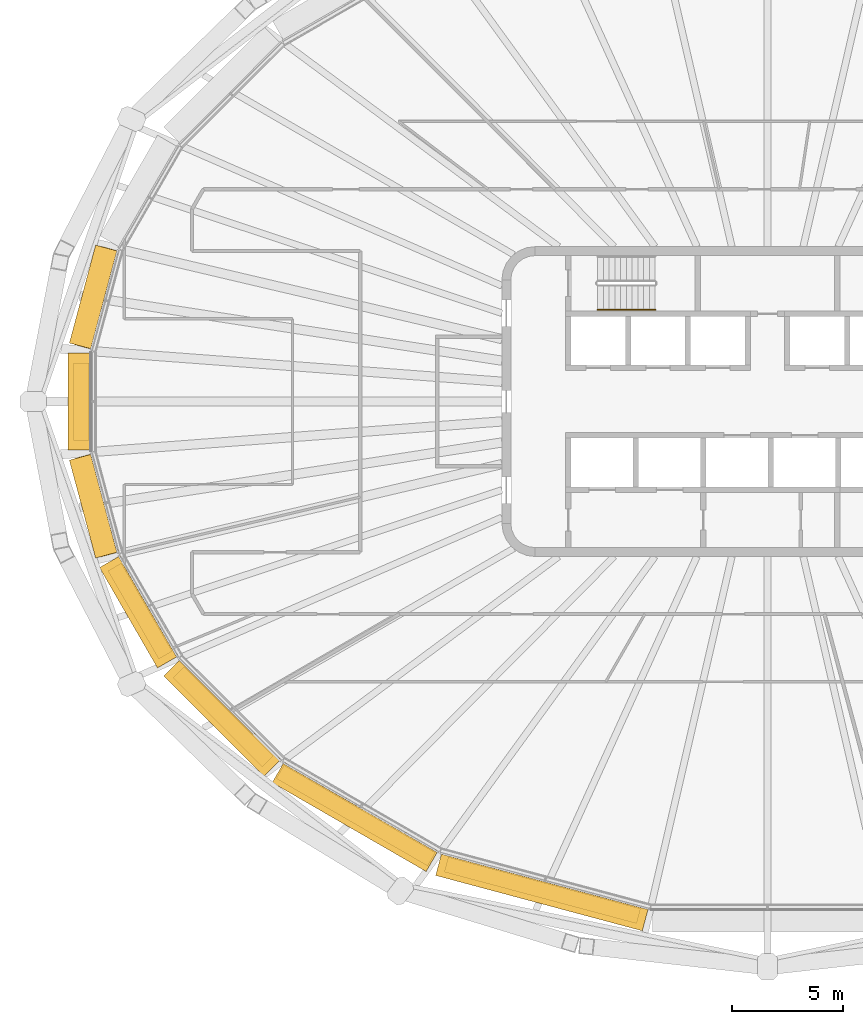
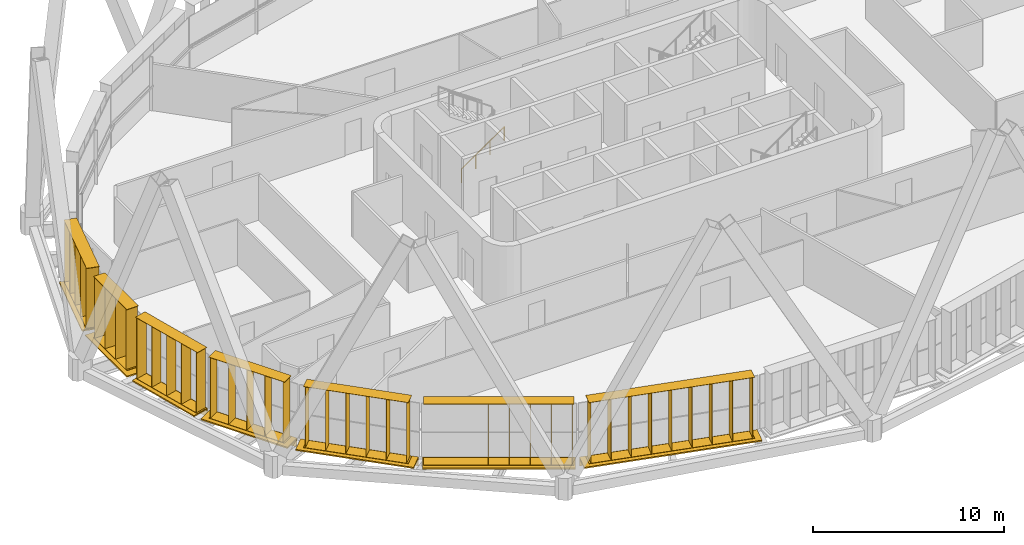
# One storey, part 18 of 23: 14 shading devices, 1 railing.
"""IFC4 building model written with IfcOpenShell, lengths in metres."""

from ifc_helpers import new_model, si_unit, direction, frame, origin, origin_2d, place, context, subcontext, project, spatial, rectangle, circle, extrude, material, type_object, element, save


model = new_model("IFC4")

# Units and contexts
model_context = context("Model", 3, precision=1e-05, world=origin(), true_north=direction((0.0, 1.0)))
body_context = subcontext(model_context, "Body", "Model", "MODEL_VIEW")
ifc_project = project(units=[si_unit("LENGTHUNIT", "METRE"), si_unit("AREAUNIT", "SQUARE_METRE"), si_unit("VOLUMEUNIT", "CUBIC_METRE"), si_unit("PLANEANGLEUNIT", "RADIAN"), si_unit("MASSUNIT", "GRAM", prefix="KILO")], contexts=[model_context])

# Site, building, storey
site_placement = place(None, origin())
site = spatial("IfcSite", under=ifc_project, at=site_placement, CompositionType="ELEMENT")
building_placement = place(site_placement, origin())
building = spatial("IfcBuilding", under=site, at=building_placement, Name="Sahrelin Media Tower", CompositionType="ELEMENT")
storey_placement = place(building_placement, frame((0.0, 0.0, 217.60009765625)))
storey = spatial("IfcBuildingStorey", under=building, at=storey_placement, Name="L46", CompositionType="ELEMENT", Elevation=217.60009765625)

# Shading devices
ifc_material_1 = material(Name="Champagne anodised aluminium 6063-T6", Category="aluminium")
shading_device_type_1 = type_object("IfcShadingDeviceType", Name="Fin cassette", PredefinedType="USERDEFINED", material=ifc_material_1)
placement_1 = place(storey_placement, frame((-29.964111328125, 4.593017578125, 0.0), z_axis=(0.0, 0.0, 1.0), x_axis=(0.258807731996, 0.965928857556, 0.0)))
element("IfcShadingDevice", 1, at=placement_1, inside=storey, type_object=shading_device_type_1, Name="L46:FIN:L46-11", ObjectType="FIN", PredefinedType="USERDEFINED", context=body_context, shape_type="SweptSolid", body=[
    extrude(rectangle(XDim=4.60009765625, YDim=0.699951171875, at=origin_2d()), frame((0.0, 0.419921875, 0.0)), (0.0, 0.0, 1.0), 0.02001953125),
    extrude(rectangle(XDim=4.60009765625, YDim=0.699951171875, at=origin_2d()), frame((0.0, 0.419921875, 3.89990234375)), (0.0, 0.0, 1.0), 0.02001953125),
    extrude(rectangle(XDim=0.02001953125, YDim=0.699951171875, at=origin_2d()), frame((-2.199951171875, 0.419921875, 0.010009765625), z_axis=(0.0, 0.0, 1.0), x_axis=(1.0, 0.0, 0.0)), (0.0, 0.0, 1.0), 3.89990234375),
    extrude(rectangle(XDim=0.02001953125, YDim=0.699951171875, at=origin_2d()), frame((-1.10009765625, 0.419921875, 0.010009765625), z_axis=(0.0, 0.0, 1.0), x_axis=(1.0, 0.0, 0.0)), (0.0, 0.0, 1.0), 3.89990234375),
    extrude(rectangle(XDim=0.02001953125, YDim=0.699951171875, at=origin_2d()), frame((0.0, 0.419921875, 0.010009765625), z_axis=(0.0, 0.0, 1.0), x_axis=(1.0, 0.0, 0.0)), (0.0, 0.0, 1.0), 3.89990234375),
    extrude(rectangle(XDim=0.02001953125, YDim=0.699951171875, at=origin_2d()), frame((1.10009765625, 0.419921875, 0.010009765625), z_axis=(0.0, 0.0, 1.0), x_axis=(1.0, 0.0, 0.0)), (0.0, 0.0, 1.0), 3.89990234375),
    extrude(rectangle(XDim=0.02001953125, YDim=0.699951171875, at=origin_2d()), frame((2.199951171875, 0.419921875, 0.010009765625), z_axis=(0.0, 0.0, 1.0), x_axis=(1.0, 0.0, 0.0)), (0.0, 0.0, 1.0), 3.89990234375),
])
placement_2 = place(storey_placement, frame((-30.58251953125, 0.0, 0.0), z_axis=(0.0, 0.0, 1.0), x_axis=(0.0, 1.0, 0.0)))
element("IfcShadingDevice", 2, at=placement_2, inside=storey, type_object=shading_device_type_1, Name="L46:FIN:L46-12", ObjectType="FIN", PredefinedType="USERDEFINED", context=body_context, shape_type="SweptSolid", body=[
    extrude(rectangle(XDim=3.5, YDim=0.699951171875, at=origin_2d()), frame((0.0, 0.419921875, 0.0)), (0.0, 0.0, 1.0), 0.02001953125),
    extrude(rectangle(XDim=3.5, YDim=0.699951171875, at=origin_2d()), frame((0.0, 0.419921875, 3.89990234375)), (0.0, 0.0, 1.0), 0.02001953125),
    extrude(rectangle(XDim=0.02001953125, YDim=0.699951171875, at=origin_2d()), frame((-1.64990234375, 0.419921875, 0.010009765625), z_axis=(0.0, 0.0, 1.0), x_axis=(1.0, 0.0, 0.0)), (0.0, 0.0, 1.0), 3.89990234375),
    extrude(rectangle(XDim=0.02001953125, YDim=0.699951171875, at=origin_2d()), frame((-0.550048828125, 0.419921875, 0.010009765625), z_axis=(0.0, 0.0, 1.0), x_axis=(1.0, 0.0, 0.0)), (0.0, 0.0, 1.0), 3.89990234375),
    extrude(rectangle(XDim=0.02001953125, YDim=0.699951171875, at=origin_2d()), frame((0.550048828125, 0.419921875, 0.010009765625), z_axis=(0.0, 0.0, 1.0), x_axis=(1.0, 0.0, 0.0)), (0.0, 0.0, 1.0), 3.89990234375),
    extrude(rectangle(XDim=0.02001953125, YDim=0.699951171875, at=origin_2d()), frame((1.64990234375, 0.419921875, 0.010009765625), z_axis=(0.0, 0.0, 1.0), x_axis=(1.0, 0.0, 0.0)), (0.0, 0.0, 1.0), 3.89990234375),
])
placement_3 = place(storey_placement, frame((-29.964111328125, -4.593017578125, 0.0), z_axis=(0.0, 0.0, 1.0), x_axis=(-0.258807731996, 0.965928857556, 0.0)))
element("IfcShadingDevice", 3, at=placement_3, inside=storey, type_object=shading_device_type_1, Name="L46:FIN:L46-13", ObjectType="FIN", PredefinedType="USERDEFINED", context=body_context, shape_type="SweptSolid", body=[
    extrude(rectangle(XDim=4.60009765625, YDim=0.699951171875, at=origin_2d()), frame((0.0, 0.419921875, 0.0)), (0.0, 0.0, 1.0), 0.02001953125),
    extrude(rectangle(XDim=4.60009765625, YDim=0.699951171875, at=origin_2d()), frame((0.0, 0.419921875, 3.89990234375)), (0.0, 0.0, 1.0), 0.02001953125),
    extrude(rectangle(XDim=0.02001953125, YDim=0.699951171875, at=origin_2d()), frame((-2.199951171875, 0.419921875, 0.010009765625), z_axis=(0.0, 0.0, 1.0), x_axis=(1.0, 0.0, 0.0)), (0.0, 0.0, 1.0), 3.89990234375),
    extrude(rectangle(XDim=0.02001953125, YDim=0.699951171875, at=origin_2d()), frame((-1.10009765625, 0.419921875, 0.010009765625), z_axis=(0.0, 0.0, 1.0), x_axis=(1.0, 0.0, 0.0)), (0.0, 0.0, 1.0), 3.89990234375),
    extrude(rectangle(XDim=0.02001953125, YDim=0.699951171875, at=origin_2d()), frame((0.0, 0.419921875, 0.010009765625), z_axis=(0.0, 0.0, 1.0), x_axis=(1.0, 0.0, 0.0)), (0.0, 0.0, 1.0), 3.89990234375),
    extrude(rectangle(XDim=0.02001953125, YDim=0.699951171875, at=origin_2d()), frame((1.10009765625, 0.419921875, 0.010009765625), z_axis=(0.0, 0.0, 1.0), x_axis=(1.0, 0.0, 0.0)), (0.0, 0.0, 1.0), 3.89990234375),
    extrude(rectangle(XDim=0.02001953125, YDim=0.699951171875, at=origin_2d()), frame((2.199951171875, 0.419921875, 0.010009765625), z_axis=(0.0, 0.0, 1.0), x_axis=(1.0, 0.0, 0.0)), (0.0, 0.0, 1.0), 3.89990234375),
])
placement_4 = place(storey_placement, frame((-27.986083984375, -9.255859375, 0.0), z_axis=(0.0, 0.0, 1.0), x_axis=(-0.500011000363, 0.866019052629, 0.0)))
element("IfcShadingDevice", 4, at=placement_4, inside=storey, type_object=shading_device_type_1, Name="L46:FIN:L46-14", ObjectType="FIN", PredefinedType="USERDEFINED", context=body_context, shape_type="SweptSolid", body=[
    extrude(rectangle(XDim=4.60009765625, YDim=0.699951171875, at=origin_2d()), frame((0.0, 0.419921875, 0.0)), (0.0, 0.0, 1.0), 0.02001953125),
    extrude(rectangle(XDim=4.60009765625, YDim=0.699951171875, at=origin_2d()), frame((0.0, 0.419921875, 3.89990234375)), (0.0, 0.0, 1.0), 0.02001953125),
    extrude(rectangle(XDim=0.02001953125, YDim=0.699951171875, at=origin_2d()), frame((-2.199951171875, 0.419921875, 0.010009765625), z_axis=(0.0, 0.0, 1.0), x_axis=(1.0, 0.0, 0.0)), (0.0, 0.0, 1.0), 3.89990234375),
    extrude(rectangle(XDim=0.02001953125, YDim=0.699951171875, at=origin_2d()), frame((-1.10009765625, 0.419921875, 0.010009765625), z_axis=(0.0, 0.0, 1.0), x_axis=(1.0, 0.0, 0.0)), (0.0, 0.0, 1.0), 3.89990234375),
    extrude(rectangle(XDim=0.02001953125, YDim=0.699951171875, at=origin_2d()), frame((0.0, 0.419921875, 0.010009765625), z_axis=(0.0, 0.0, 1.0), x_axis=(1.0, 0.0, 0.0)), (0.0, 0.0, 1.0), 3.89990234375),
    extrude(rectangle(XDim=0.02001953125, YDim=0.699951171875, at=origin_2d()), frame((1.10009765625, 0.419921875, 0.010009765625), z_axis=(0.0, 0.0, 1.0), x_axis=(1.0, 0.0, 0.0)), (0.0, 0.0, 1.0), 3.89990234375),
    extrude(rectangle(XDim=0.02001953125, YDim=0.699951171875, at=origin_2d()), frame((2.199951171875, 0.419921875, 0.010009765625), z_axis=(0.0, 0.0, 1.0), x_axis=(1.0, 0.0, 0.0)), (0.0, 0.0, 1.0), 3.89990234375),
])
placement_5 = place(storey_placement, frame((-24.291015625, -13.9462890625, 0.0), z_axis=(0.0, 0.0, 1.0), x_axis=(-0.707106781187, 0.707106781187, 0.0)))
element("IfcShadingDevice", 5, at=placement_5, inside=storey, type_object=shading_device_type_1, Name="L46:FIN:L46-15", ObjectType="FIN", PredefinedType="USERDEFINED", context=body_context, shape_type="SweptSolid", body=[
    extrude(rectangle(XDim=5.699951171875, YDim=0.699951171875, at=origin_2d()), frame((0.0, 0.419921875, 0.0)), (0.0, 0.0, 1.0), 0.02001953125),
    extrude(rectangle(XDim=5.699951171875, YDim=0.699951171875, at=origin_2d()), frame((0.0, 0.419921875, 3.89990234375)), (0.0, 0.0, 1.0), 0.02001953125),
    extrude(rectangle(XDim=0.02001953125, YDim=0.699951171875, at=origin_2d()), frame((-2.75, 0.419921875, 0.010009765625), z_axis=(0.0, 0.0, 1.0), x_axis=(1.0, 0.0, 0.0)), (0.0, 0.0, 1.0), 3.89990234375),
    extrude(rectangle(XDim=0.02001953125, YDim=0.699951171875, at=origin_2d()), frame((-1.64990234375, 0.419921875, 0.010009765625), z_axis=(0.0, 0.0, 1.0), x_axis=(1.0, 0.0, 0.0)), (0.0, 0.0, 1.0), 3.89990234375),
    extrude(rectangle(XDim=0.02001953125, YDim=0.699951171875, at=origin_2d()), frame((-0.550048828125, 0.419921875, 0.010009765625), z_axis=(0.0, 0.0, 1.0), x_axis=(1.0, 0.0, 0.0)), (0.0, 0.0, 1.0), 3.89990234375),
    extrude(rectangle(XDim=0.02001953125, YDim=0.699951171875, at=origin_2d()), frame((0.550048828125, 0.419921875, 0.010009765625), z_axis=(0.0, 0.0, 1.0), x_axis=(1.0, 0.0, 0.0)), (0.0, 0.0, 1.0), 3.89990234375),
    extrude(rectangle(XDim=0.02001953125, YDim=0.699951171875, at=origin_2d()), frame((1.64990234375, 0.419921875, 0.010009765625), z_axis=(0.0, 0.0, 1.0), x_axis=(1.0, 0.0, 0.0)), (0.0, 0.0, 1.0), 3.89990234375),
    extrude(rectangle(XDim=0.02001953125, YDim=0.699951171875, at=origin_2d()), frame((2.75, 0.419921875, 0.010009765625), z_axis=(0.0, 0.0, 1.0), x_axis=(1.0, 0.0, 0.0)), (0.0, 0.0, 1.0), 3.89990234375),
])
placement_6 = place(storey_placement, frame((-18.39013671875, -18.34033203125, 0.0), z_axis=(0.0, 0.0, 1.0), x_axis=(-0.866019052629, 0.500011000363, 0.0)))
element("IfcShadingDevice", 6, at=placement_6, inside=storey, type_object=shading_device_type_1, Name="L46:FIN:L46-16", ObjectType="FIN", PredefinedType="USERDEFINED", context=body_context, shape_type="SweptSolid", body=[
    extrude(rectangle(XDim=7.89990234375, YDim=0.699951171875, at=origin_2d()), frame((0.0, 0.419921875, 0.0)), (0.0, 0.0, 1.0), 0.02001953125),
    extrude(rectangle(XDim=7.89990234375, YDim=0.699951171875, at=origin_2d()), frame((0.0, 0.419921875, 3.89990234375)), (0.0, 0.0, 1.0), 0.02001953125),
    extrude(rectangle(XDim=0.02001953125, YDim=0.699951171875, at=origin_2d()), frame((-3.85009765625, 0.419921875, 0.010009765625), z_axis=(0.0, 0.0, 1.0), x_axis=(1.0, 0.0, 0.0)), (0.0, 0.0, 1.0), 3.89990234375),
    extrude(rectangle(XDim=0.02001953125, YDim=0.699951171875, at=origin_2d()), frame((-2.75, 0.419921875, 0.010009765625), z_axis=(0.0, 0.0, 1.0), x_axis=(1.0, 0.0, 0.0)), (0.0, 0.0, 1.0), 3.89990234375),
    extrude(rectangle(XDim=0.02001953125, YDim=0.699951171875, at=origin_2d()), frame((-1.64990234375, 0.419921875, 0.010009765625), z_axis=(0.0, 0.0, 1.0), x_axis=(1.0, 0.0, 0.0)), (0.0, 0.0, 1.0), 3.89990234375),
    extrude(rectangle(XDim=0.02001953125, YDim=0.699951171875, at=origin_2d()), frame((-0.550048828125, 0.419921875, 0.010009765625), z_axis=(0.0, 0.0, 1.0), x_axis=(1.0, 0.0, 0.0)), (0.0, 0.0, 1.0), 3.89990234375),
    extrude(rectangle(XDim=0.02001953125, YDim=0.699951171875, at=origin_2d()), frame((0.550048828125, 0.419921875, 0.010009765625), z_axis=(0.0, 0.0, 1.0), x_axis=(1.0, 0.0, 0.0)), (0.0, 0.0, 1.0), 3.89990234375),
    extrude(rectangle(XDim=0.02001953125, YDim=0.699951171875, at=origin_2d()), frame((1.64990234375, 0.419921875, 0.010009765625), z_axis=(0.0, 0.0, 1.0), x_axis=(1.0, 0.0, 0.0)), (0.0, 0.0, 1.0), 3.89990234375),
    extrude(rectangle(XDim=0.02001953125, YDim=0.699951171875, at=origin_2d()), frame((2.75, 0.419921875, 0.010009765625), z_axis=(0.0, 0.0, 1.0), x_axis=(1.0, 0.0, 0.0)), (0.0, 0.0, 1.0), 3.89990234375),
    extrude(rectangle(XDim=0.02001953125, YDim=0.699951171875, at=origin_2d()), frame((3.85009765625, 0.419921875, 0.010009765625), z_axis=(0.0, 0.0, 1.0), x_axis=(1.0, 0.0, 0.0)), (0.0, 0.0, 1.0), 3.89990234375),
])
placement_7 = place(storey_placement, frame((-10.060302734375, -21.67529296875, 0.0), z_axis=(0.0, 0.0, 1.0), x_axis=(-0.965928857556, 0.258807731996, 0.0)))
element("IfcShadingDevice", 7, at=placement_7, inside=storey, type_object=shading_device_type_1, Name="L46:FIN:L46-17", ObjectType="FIN", PredefinedType="USERDEFINED", context=body_context, shape_type="SweptSolid", body=[
    extrude(rectangle(XDim=9.0, YDim=0.699951171875, at=origin_2d()), frame((0.0, 0.419921875, 0.0)), (0.0, 0.0, 1.0), 0.02001953125),
    extrude(rectangle(XDim=9.0, YDim=0.699951171875, at=origin_2d()), frame((0.0, 0.419921875, 3.89990234375)), (0.0, 0.0, 1.0), 0.02001953125),
    extrude(rectangle(XDim=0.02001953125, YDim=0.699951171875, at=origin_2d()), frame((-4.39990234375, 0.419921875, 0.010009765625), z_axis=(0.0, 0.0, 1.0), x_axis=(1.0, 0.0, 0.0)), (0.0, 0.0, 1.0), 3.89990234375),
    extrude(rectangle(XDim=0.02001953125, YDim=0.699951171875, at=origin_2d()), frame((-3.300048828125, 0.419921875, 0.010009765625), z_axis=(0.0, 0.0, 1.0), x_axis=(1.0, 0.0, 0.0)), (0.0, 0.0, 1.0), 3.89990234375),
    extrude(rectangle(XDim=0.02001953125, YDim=0.699951171875, at=origin_2d()), frame((-2.199951171875, 0.419921875, 0.010009765625), z_axis=(0.0, 0.0, 1.0), x_axis=(1.0, 0.0, 0.0)), (0.0, 0.0, 1.0), 3.89990234375),
    extrude(rectangle(XDim=0.02001953125, YDim=0.699951171875, at=origin_2d()), frame((-1.10009765625, 0.419921875, 0.010009765625), z_axis=(0.0, 0.0, 1.0), x_axis=(1.0, 0.0, 0.0)), (0.0, 0.0, 1.0), 3.89990234375),
    extrude(rectangle(XDim=0.02001953125, YDim=0.699951171875, at=origin_2d()), frame((0.0, 0.419921875, 0.010009765625), z_axis=(0.0, 0.0, 1.0), x_axis=(1.0, 0.0, 0.0)), (0.0, 0.0, 1.0), 3.89990234375),
    extrude(rectangle(XDim=0.02001953125, YDim=0.699951171875, at=origin_2d()), frame((1.10009765625, 0.419921875, 0.010009765625), z_axis=(0.0, 0.0, 1.0), x_axis=(1.0, 0.0, 0.0)), (0.0, 0.0, 1.0), 3.89990234375),
    extrude(rectangle(XDim=0.02001953125, YDim=0.699951171875, at=origin_2d()), frame((2.199951171875, 0.419921875, 0.010009765625), z_axis=(0.0, 0.0, 1.0), x_axis=(1.0, 0.0, 0.0)), (0.0, 0.0, 1.0), 3.89990234375),
    extrude(rectangle(XDim=0.02001953125, YDim=0.699951171875, at=origin_2d()), frame((3.300048828125, 0.419921875, 0.010009765625), z_axis=(0.0, 0.0, 1.0), x_axis=(1.0, 0.0, 0.0)), (0.0, 0.0, 1.0), 3.89990234375),
    extrude(rectangle(XDim=0.02001953125, YDim=0.699951171875, at=origin_2d()), frame((4.39990234375, 0.419921875, 0.010009765625), z_axis=(0.0, 0.0, 1.0), x_axis=(1.0, 0.0, 0.0)), (0.0, 0.0, 1.0), 3.89990234375),
])

# Railing
ifc_material_2 = material(Name="Steel S355", Category="steel")
railing_type = type_object("IfcRailingType", Name="Stair handrail 900", PredefinedType="HANDRAIL", material=ifc_material_2)
railing_placement = place(storey_placement, frame((-7.675048828125, 4.14990234375, 0.181640625)))
element("IfcRailing", 8, at=railing_placement, inside=storey, type_object=railing_type, Name="L46 ST1 stair handrail 1", PredefinedType="HANDRAIL", context=body_context, shape_type="SweptSolid", body=[
    extrude(circle(Radius=0.02392578125, at=origin_2d()), frame((0.0, 0.0, 0.8759765625), z_axis=(0.819484887739, 0.0, 0.573100792852), x_axis=(0.0, 1.0, 0.0)), (0.0, 0.0, 1.0), 3.1728515625),
    extrude(circle(Radius=0.02099609375, at=origin_2d()), origin(), (0.0, 0.0, 1.0), 0.851806640625),
    extrude(circle(Radius=0.02099609375, at=origin_2d()), frame((0.86669921875, 0.0, 0.606201171875)), (0.0, 0.0, 1.0), 0.851806640625),
    extrude(circle(Radius=0.02099609375, at=origin_2d()), frame((1.7333984375, 0.0, 1.212158203125)), (0.0, 0.0, 1.0), 0.851806640625),
    extrude(circle(Radius=0.02099609375, at=origin_2d()), frame((2.60009765625, 0.0, 1.818359375)), (0.0, 0.0, 1.0), 0.851806640625),
])

# Shading devices
shading_device_type_2 = type_object("IfcShadingDeviceType", Name="Sunshade band", PredefinedType="USERDEFINED", material=ifc_material_1)
element("IfcShadingDevice", 9, at=placement_1, inside=storey, type_object=shading_device_type_2, Name="L46:SUN:L46-11", ObjectType="SUNSHADE", PredefinedType="USERDEFINED", context=body_context, shape_type="SweptSolid", body=[
    extrude(rectangle(XDim=4.5791015625, YDim=0.050048828125, at=origin_2d()), frame((0.0, 0.044921875, -0.55126953125)), (0.0, 0.0, 1.0), 0.471435546875),
    extrude(rectangle(XDim=4.5791015625, YDim=1.0, at=origin_2d()), frame((0.0, 0.52001953125, -0.080078125)), (0.0, 0.0, 1.0), 0.080078125),
    extrude(rectangle(XDim=0.10009765625, YDim=0.074951171875, at=origin_2d()), frame((-2.189697265625, -0.017578125, -0.47021484375)), (0.0, 0.0, 1.0), 0.300048828125),
    extrude(rectangle(XDim=0.10009765625, YDim=0.074951171875, at=origin_2d()), frame((-0.72998046875, -0.017578125, -0.47021484375)), (0.0, 0.0, 1.0), 0.300048828125),
    extrude(rectangle(XDim=0.10009765625, YDim=0.074951171875, at=origin_2d()), frame((0.72998046875, -0.017578125, -0.47021484375)), (0.0, 0.0, 1.0), 0.300048828125),
    extrude(rectangle(XDim=0.10009765625, YDim=0.074951171875, at=origin_2d()), frame((2.189697265625, -0.017578125, -0.47021484375)), (0.0, 0.0, 1.0), 0.300048828125),
])
element("IfcShadingDevice", 10, at=placement_2, inside=storey, type_object=shading_device_type_2, Name="L46:SUN:L46-12", ObjectType="SUNSHADE", PredefinedType="USERDEFINED", context=body_context, shape_type="SweptSolid", body=[
    extrude(rectangle(XDim=4.369873046875, YDim=0.050048828125, at=origin_2d()), frame((0.0, 0.044921875, -0.55126953125)), (0.0, 0.0, 1.0), 0.471435546875),
    extrude(rectangle(XDim=4.369873046875, YDim=1.0, at=origin_2d()), frame((0.0, 0.52001953125, -0.080078125)), (0.0, 0.0, 1.0), 0.080078125),
    extrude(rectangle(XDim=0.10009765625, YDim=0.074951171875, at=origin_2d()), frame((-2.0849609375, -0.017578125, -0.47021484375)), (0.0, 0.0, 1.0), 0.300048828125),
    extrude(rectangle(XDim=0.10009765625, YDim=0.074951171875, at=origin_2d()), frame((-0.695068359375, -0.017578125, -0.47021484375)), (0.0, 0.0, 1.0), 0.300048828125),
    extrude(rectangle(XDim=0.10009765625, YDim=0.074951171875, at=origin_2d()), frame((0.695068359375, -0.017578125, -0.47021484375)), (0.0, 0.0, 1.0), 0.300048828125),
    extrude(rectangle(XDim=0.10009765625, YDim=0.074951171875, at=origin_2d()), frame((2.0849609375, -0.017578125, -0.47021484375)), (0.0, 0.0, 1.0), 0.300048828125),
])
element("IfcShadingDevice", 11, at=placement_3, inside=storey, type_object=shading_device_type_2, Name="L46:SUN:L46-13", ObjectType="SUNSHADE", PredefinedType="USERDEFINED", context=body_context, shape_type="SweptSolid", body=[
    extrude(rectangle(XDim=4.5791015625, YDim=0.050048828125, at=origin_2d()), frame((0.0, 0.044921875, -0.55126953125)), (0.0, 0.0, 1.0), 0.471435546875),
    extrude(rectangle(XDim=4.5791015625, YDim=1.0, at=origin_2d()), frame((0.0, 0.52001953125, -0.080078125)), (0.0, 0.0, 1.0), 0.080078125),
    extrude(rectangle(XDim=0.10009765625, YDim=0.074951171875, at=origin_2d()), frame((-2.189697265625, -0.017578125, -0.47021484375)), (0.0, 0.0, 1.0), 0.300048828125),
    extrude(rectangle(XDim=0.10009765625, YDim=0.074951171875, at=origin_2d()), frame((-0.72998046875, -0.017578125, -0.47021484375)), (0.0, 0.0, 1.0), 0.300048828125),
    extrude(rectangle(XDim=0.10009765625, YDim=0.074951171875, at=origin_2d()), frame((0.72998046875, -0.017578125, -0.47021484375)), (0.0, 0.0, 1.0), 0.300048828125),
    extrude(rectangle(XDim=0.10009765625, YDim=0.074951171875, at=origin_2d()), frame((2.189697265625, -0.017578125, -0.47021484375)), (0.0, 0.0, 1.0), 0.300048828125),
])
element("IfcShadingDevice", 12, at=placement_4, inside=storey, type_object=shading_device_type_2, Name="L46:SUN:L46-14", ObjectType="SUNSHADE", PredefinedType="USERDEFINED", context=body_context, shape_type="SweptSolid", body=[
    extrude(rectangle(XDim=5.238037109375, YDim=0.050048828125, at=origin_2d()), frame((0.0, 0.044921875, -0.55126953125)), (0.0, 0.0, 1.0), 0.471435546875),
    extrude(rectangle(XDim=5.238037109375, YDim=1.0, at=origin_2d()), frame((0.0, 0.52001953125, -0.080078125)), (0.0, 0.0, 1.0), 0.080078125),
    extrude(rectangle(XDim=0.10009765625, YDim=0.074951171875, at=origin_2d()), frame((-2.51904296875, -0.017578125, -0.47021484375)), (0.0, 0.0, 1.0), 0.300048828125),
    extrude(rectangle(XDim=0.10009765625, YDim=0.074951171875, at=origin_2d()), frame((-0.839599609375, -0.017578125, -0.47021484375)), (0.0, 0.0, 1.0), 0.300048828125),
    extrude(rectangle(XDim=0.10009765625, YDim=0.074951171875, at=origin_2d()), frame((0.839599609375, -0.017578125, -0.47021484375)), (0.0, 0.0, 1.0), 0.300048828125),
    extrude(rectangle(XDim=0.10009765625, YDim=0.074951171875, at=origin_2d()), frame((2.51904296875, -0.017578125, -0.47021484375)), (0.0, 0.0, 1.0), 0.300048828125),
])
element("IfcShadingDevice", 13, at=placement_5, inside=storey, type_object=shading_device_type_2, Name="L46:SUN:L46-15", ObjectType="SUNSHADE", PredefinedType="USERDEFINED", context=body_context, shape_type="SweptSolid", body=[
    extrude(rectangle(XDim=6.406494140625, YDim=0.050048828125, at=origin_2d()), frame((0.0, 0.044921875, -0.55126953125)), (0.0, 0.0, 1.0), 0.471435546875),
    extrude(rectangle(XDim=6.406494140625, YDim=1.0, at=origin_2d()), frame((0.0, 0.52001953125, -0.080078125)), (0.0, 0.0, 1.0), 0.080078125),
    extrude(rectangle(XDim=0.10009765625, YDim=0.074951171875, at=origin_2d()), frame((-3.103271484375, -0.017578125, -0.47021484375)), (0.0, 0.0, 1.0), 0.300048828125),
    extrude(rectangle(XDim=0.10009765625, YDim=0.074951171875, at=origin_2d()), frame((-1.551513671875, -0.017578125, -0.47021484375)), (0.0, 0.0, 1.0), 0.300048828125),
    extrude(rectangle(XDim=0.10009765625, YDim=0.074951171875, at=origin_2d()), frame((0.0, -0.017578125, -0.47021484375)), (0.0, 0.0, 1.0), 0.300048828125),
    extrude(rectangle(XDim=0.10009765625, YDim=0.074951171875, at=origin_2d()), frame((1.551513671875, -0.017578125, -0.47021484375)), (0.0, 0.0, 1.0), 0.300048828125),
    extrude(rectangle(XDim=0.10009765625, YDim=0.074951171875, at=origin_2d()), frame((3.103271484375, -0.017578125, -0.47021484375)), (0.0, 0.0, 1.0), 0.300048828125),
])
element("IfcShadingDevice", 14, at=placement_6, inside=storey, type_object=shading_device_type_2, Name="L46:SUN:L46-16", ObjectType="SUNSHADE", PredefinedType="USERDEFINED", context=body_context, shape_type="SweptSolid", body=[
    extrude(rectangle(XDim=8.033203125, YDim=0.050048828125, at=origin_2d()), frame((0.0, 0.044921875, -0.55126953125)), (0.0, 0.0, 1.0), 0.471435546875),
    extrude(rectangle(XDim=8.033203125, YDim=1.0, at=origin_2d()), frame((0.0, 0.52001953125, -0.080078125)), (0.0, 0.0, 1.0), 0.080078125),
    extrude(rectangle(XDim=0.10009765625, YDim=0.074951171875, at=origin_2d()), frame((-3.91650390625, -0.017578125, -0.47021484375)), (0.0, 0.0, 1.0), 0.300048828125),
    extrude(rectangle(XDim=0.10009765625, YDim=0.074951171875, at=origin_2d()), frame((-2.35009765625, -0.017578125, -0.47021484375)), (0.0, 0.0, 1.0), 0.300048828125),
    extrude(rectangle(XDim=0.10009765625, YDim=0.074951171875, at=origin_2d()), frame((-0.783203125, -0.017578125, -0.47021484375)), (0.0, 0.0, 1.0), 0.300048828125),
    extrude(rectangle(XDim=0.10009765625, YDim=0.074951171875, at=origin_2d()), frame((0.783203125, -0.017578125, -0.47021484375)), (0.0, 0.0, 1.0), 0.300048828125),
    extrude(rectangle(XDim=0.10009765625, YDim=0.074951171875, at=origin_2d()), frame((2.35009765625, -0.017578125, -0.47021484375)), (0.0, 0.0, 1.0), 0.300048828125),
    extrude(rectangle(XDim=0.10009765625, YDim=0.074951171875, at=origin_2d()), frame((3.91650390625, -0.017578125, -0.47021484375)), (0.0, 0.0, 1.0), 0.300048828125),
])
element("IfcShadingDevice", 15, at=placement_7, inside=storey, type_object=shading_device_type_2, Name="L46:SUN:L46-17", ObjectType="SUNSHADE", PredefinedType="USERDEFINED", context=body_context, shape_type="SweptSolid", body=[
    extrude(rectangle(XDim=9.66552734375, YDim=0.050048828125, at=origin_2d()), frame((0.0, 0.044921875, -0.55126953125)), (0.0, 0.0, 1.0), 0.471435546875),
    extrude(rectangle(XDim=9.66552734375, YDim=1.0, at=origin_2d()), frame((0.0, 0.52001953125, -0.080078125)), (0.0, 0.0, 1.0), 0.080078125),
    extrude(rectangle(XDim=0.10009765625, YDim=0.074951171875, at=origin_2d()), frame((-4.732666015625, -0.017578125, -0.47021484375)), (0.0, 0.0, 1.0), 0.300048828125),
    extrude(rectangle(XDim=0.10009765625, YDim=0.074951171875, at=origin_2d()), frame((-2.839599609375, -0.017578125, -0.47021484375)), (0.0, 0.0, 1.0), 0.300048828125),
    extrude(rectangle(XDim=0.10009765625, YDim=0.074951171875, at=origin_2d()), frame((-0.946533203125, -0.017578125, -0.47021484375)), (0.0, 0.0, 1.0), 0.300048828125),
    extrude(rectangle(XDim=0.10009765625, YDim=0.074951171875, at=origin_2d()), frame((0.946533203125, -0.017578125, -0.47021484375)), (0.0, 0.0, 1.0), 0.300048828125),
    extrude(rectangle(XDim=0.10009765625, YDim=0.074951171875, at=origin_2d()), frame((2.839599609375, -0.017578125, -0.47021484375)), (0.0, 0.0, 1.0), 0.300048828125),
    extrude(rectangle(XDim=0.10009765625, YDim=0.074951171875, at=origin_2d()), frame((4.732666015625, -0.017578125, -0.47021484375)), (0.0, 0.0, 1.0), 0.300048828125),
])

save(model, "model.ifc")
